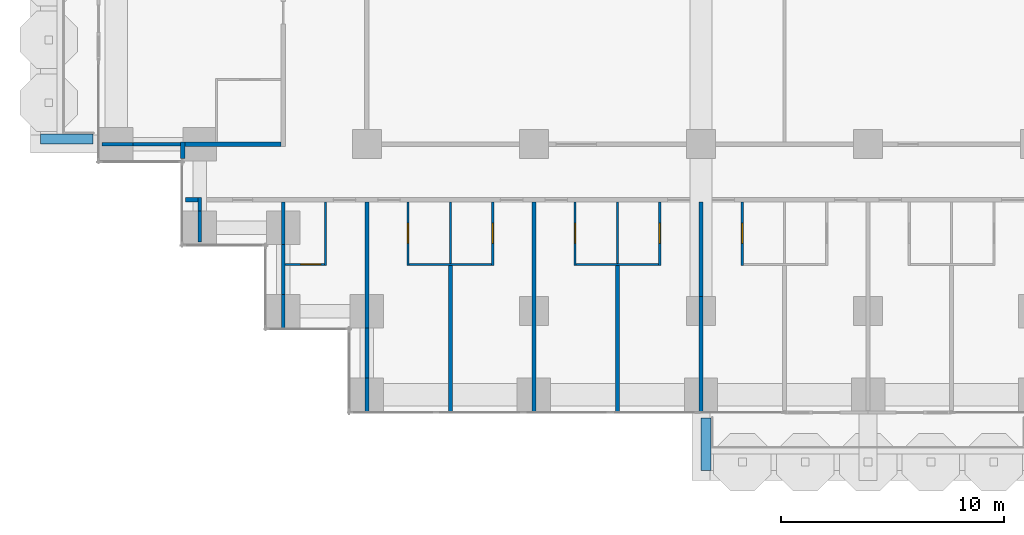
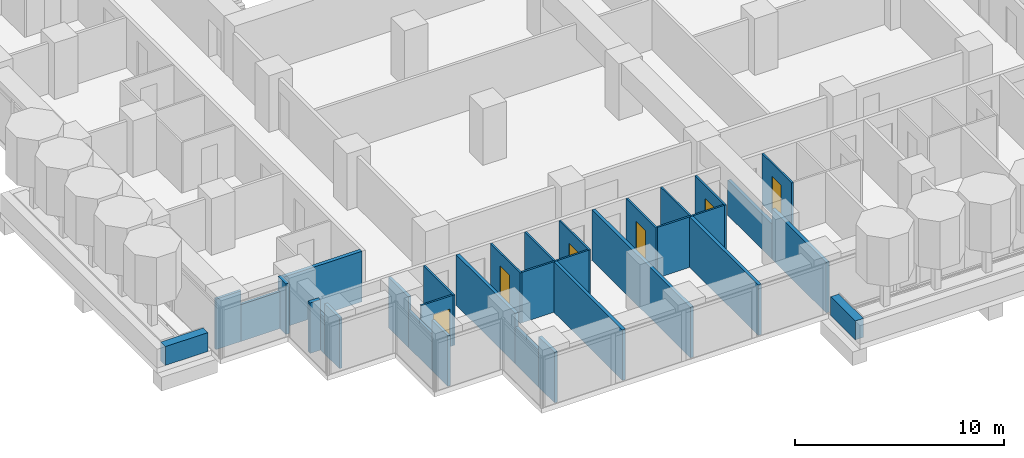
# One storey, part 11 of 20: 31 walls, 6 doors, 6 openings.
"""IFC4 building model written with IfcOpenShell, lengths in metres."""

from ifc_helpers import new_model, si_unit, direction, frame, frame_2d, origin, place, context, subcontext, project, spatial, rectangle, extrude, material, layer, layer_set, type_object, element, fill, save


model = new_model("IFC4")

# Units and contexts
model_context = context("Model", 3, precision=1e-05, world=origin(), true_north=direction((0.0, 1.0)))
body_context = subcontext(model_context, "Body", "Model", "MODEL_VIEW")
ifc_project = project(units=[si_unit("LENGTHUNIT", "METRE"), si_unit("AREAUNIT", "SQUARE_METRE"), si_unit("VOLUMEUNIT", "CUBIC_METRE"), si_unit("PLANEANGLEUNIT", "RADIAN"), si_unit("MASSUNIT", "GRAM", prefix="KILO")], contexts=[model_context])

# Site, building, storey
site_placement = place(None, origin())
site = spatial("IfcSite", under=ifc_project, at=site_placement, CompositionType="ELEMENT")
building_placement = place(site_placement, origin())
building = spatial("IfcBuilding", under=site, at=building_placement, Name="Pilkhan Gate Tower", CompositionType="ELEMENT")
storey_placement = place(building_placement, frame((0.0, 0.0, 98.89990234375)))
storey = spatial("IfcBuildingStorey", under=building, at=storey_placement, Name="L24", CompositionType="ELEMENT", Elevation=98.89990234375)

# Walls
ifc_material_1 = material(Name="Dense blockwork", Category="masonry")
ifc_layer_1 = layer(ifc_material_1, 0.175048828125)
ifc_layer_set_1 = layer_set([ifc_layer_1], Name="Acoustic party wall PW175")
wall_type_1 = type_object("IfcWallType", Name="Acoustic party wall PW175", PredefinedType="PARTITIONING", material=ifc_layer_set_1)
wall_1_placement = place(storey_placement, frame((60.0, 40.485107421875, 0.0), z_axis=(0.0, 0.0, 1.0), x_axis=(0.0, 1.0, 0.0)))
element("IfcWall", 1, at=wall_1_placement, inside=storey, type_object=wall_type_1, Name="Partition L24", PredefinedType="PARTITIONING", context=body_context, shape_type="SweptSolid", body=[
    extrude(rectangle(XDim=1.514892578125, YDim=0.175048828125, at=frame_2d((0.75732421875, 0.0))), origin(), (0.0, 0.0, 1.0), 2.9501953125),
])
wall_2_placement = place(storey_placement, frame((60.0, 42.0, 0.0), z_axis=(0.0, 0.0, 1.0), x_axis=(0.0, 1.0, 0.0)))
element("IfcWall", 2, at=wall_2_placement, inside=storey, type_object=wall_type_1, Name="Partition L24", PredefinedType="PARTITIONING", context=body_context, shape_type="SweptSolid", body=[
    extrude(rectangle(XDim=2.2509765625, YDim=0.175048828125, at=frame_2d((1.12548828125, 0.0))), origin(), (0.0, 0.0, 1.0), 2.150146484375),
])
wall_3_placement = place(storey_placement, frame((60.0, 44.2509765625, 0.0), z_axis=(0.0, 0.0, 1.0), x_axis=(0.0, 1.0, 0.0)))
element("IfcWall", 3, at=wall_3_placement, inside=storey, type_object=wall_type_1, Name="Partition L24", PredefinedType="PARTITIONING", context=body_context, shape_type="SweptSolid", body=[
    extrude(rectangle(XDim=5.64892578125, YDim=0.175048828125, at=frame_2d((2.824462890625, 0.0))), origin(), (0.0, 0.0, 1.0), 2.9501953125),
])
wall_4_placement = place(storey_placement, frame((63.75, 40.485107421875, 0.0), z_axis=(0.0, 0.0, 1.0), x_axis=(0.0, 1.0, 0.0)))
element("IfcWall", 4, at=wall_4_placement, inside=storey, type_object=wall_type_1, Name="Partition L24", PredefinedType="PARTITIONING", context=body_context, shape_type="SweptSolid", body=[
    extrude(rectangle(XDim=6.56494140625, YDim=0.175048828125, at=frame_2d((3.282470703125, 0.0))), origin(), (0.0, 0.0, 1.0), 2.9501953125),
])
wall_5_placement = place(storey_placement, frame((67.5, 40.485107421875, 0.0), z_axis=(0.0, 0.0, 1.0), x_axis=(0.0, 1.0, 0.0)))
element("IfcWall", 5, at=wall_5_placement, inside=storey, type_object=wall_type_1, Name="Partition L24", PredefinedType="PARTITIONING", context=body_context, shape_type="SweptSolid", body=[
    extrude(rectangle(XDim=9.414794921875, YDim=0.175048828125, at=frame_2d((4.70751953125, 0.0))), origin(), (0.0, 0.0, 1.0), 2.9501953125),
])
wall_6_placement = place(storey_placement, frame((71.25, 40.485107421875, 0.0), z_axis=(0.0, 0.0, 1.0), x_axis=(0.0, 1.0, 0.0)))
element("IfcWall", 6, at=wall_6_placement, inside=storey, type_object=wall_type_1, Name="Partition L24", PredefinedType="PARTITIONING", context=body_context, shape_type="SweptSolid", body=[
    extrude(rectangle(XDim=6.56494140625, YDim=0.175048828125, at=frame_2d((3.282470703125, 0.0))), origin(), (0.0, 0.0, 1.0), 2.9501953125),
])
wall_7_placement = place(storey_placement, frame((75.0, 40.485107421875, 0.0), z_axis=(0.0, 0.0, 1.0), x_axis=(0.0, 1.0, 0.0)))
element("IfcWall", 7, at=wall_7_placement, inside=storey, type_object=wall_type_1, Name="Partition L24", PredefinedType="PARTITIONING", context=body_context, shape_type="SweptSolid", body=[
    extrude(rectangle(XDim=5.163818359375, YDim=0.175048828125, at=frame_2d((2.58203125, 0.0))), origin(), (0.0, 0.0, 1.0), 2.9501953125),
])
wall_8_placement = place(storey_placement, frame((75.0, 45.64892578125, 0.0), z_axis=(0.0, 0.0, 1.0), x_axis=(0.0, 1.0, 0.0)))
element("IfcWall", 8, at=wall_8_placement, inside=storey, type_object=wall_type_1, Name="Partition L24", PredefinedType="PARTITIONING", context=body_context, shape_type="SweptSolid", body=[
    extrude(rectangle(XDim=4.2509765625, YDim=0.175048828125, at=frame_2d((2.12548828125, 0.0))), origin(), (0.0, 0.0, 1.0), 2.050048828125),
])
ifc_material_2 = material(Name="Board-marked Concrete C40/50", Category="concrete")
ifc_layer_2 = layer(ifc_material_2, 0.449951171875)
ifc_layer_set_2 = layer_set([ifc_layer_2], Name="Balcony planter lip BL450")
wall_type_2 = type_object("IfcWallType", Name="Balcony planter lip BL450", PredefinedType="USERDEFINED", material=ifc_layer_set_2)
for number, where, z_axis, x_axis, name in (
    (9, (75.22509765625, 40.199951171875, 0.0), (0.0, 0.0, 1.0), (0.0, -1.0, 0.0), "Balcony planter L24 S"),
    (10, (47.699951171875, 52.72509765625, 0.0), (0.0, 0.0, 1.0), (-1.0, 0.0, 0.0), "Balcony planter L24 W"),
):
    element("IfcWall", number, at=place(storey_placement, frame(where, z_axis=z_axis, x_axis=x_axis)), inside=storey, type_object=wall_type_2, Name=name, ObjectType="BALCONY PLANTER", PredefinedType="USERDEFINED", context=body_context, shape_type="SweptSolid", body=[
        extrude(rectangle(XDim=2.349853515625, YDim=0.449951171875, at=frame_2d((1.1748046875, 0.0))), origin(), (0.0, 0.0, 1.0), 1.10009765625),
    ])
ifc_layer_3 = layer(ifc_material_1, 0.199951171875)
ifc_layer_set_3 = layer_set([ifc_layer_3], Name="Corridor wall FW200")
wall_type_3 = type_object("IfcWallType", Name="Corridor wall FW200", PredefinedType="PARTITIONING", material=ifc_layer_set_3)
wall_9_placement = place(storey_placement, frame((51.85498046875, 50.0, 0.0), z_axis=(0.0, 0.0, 1.0), x_axis=(1.0, 0.0, 0.0)))
element("IfcWall", 11, at=wall_9_placement, inside=storey, type_object=wall_type_3, Name="Partition L24", PredefinedType="PARTITIONING", context=body_context, shape_type="SweptSolid", body=[
    extrude(rectangle(XDim=0.570068359375, YDim=0.199951171875, at=frame_2d((0.28515625, 0.0))), origin(), (0.0, 0.0, 1.0), 2.9501953125),
])
wall_10_placement = place(storey_placement, frame((51.8349609375, 52.5, 0.0), z_axis=(0.0, 0.0, 1.0), x_axis=(1.0, 0.0, 0.0)))
element("IfcWall", 12, at=wall_10_placement, inside=storey, type_object=wall_type_3, Name="Partition L24", PredefinedType="PARTITIONING", context=body_context, shape_type="SweptSolid", body=[
    extrude(rectangle(XDim=4.31494140625, YDim=0.199951171875, at=frame_2d((2.157470703125, 0.0))), origin(), (0.0, 0.0, 1.0), 2.9501953125),
])
wall_11_placement = place(storey_placement, frame((51.735107421875, 51.85498046875, 0.0), z_axis=(0.0, 0.0, 1.0), x_axis=(0.0, 1.0, 0.0)))
element("IfcWall", 13, at=wall_11_placement, inside=storey, type_object=wall_type_3, Name="Partition L24", PredefinedType="PARTITIONING", context=body_context, shape_type="SweptSolid", body=[
    extrude(rectangle(XDim=0.7451171875, YDim=0.199951171875, at=frame_2d((0.37255859375, 0.0))), origin(), (0.0, 0.0, 1.0), 2.9501953125),
])
ifc_material_3 = material(Name="Blockwork partition, plastered both sides", Category="masonry")
ifc_layer_4 = layer(ifc_material_3, 0.14990234375)
ifc_layer_set_4 = layer_set([ifc_layer_4], Name="Partition PW150")
wall_type_4 = type_object("IfcWallType", Name="Partition PW150", PredefinedType="PARTITIONING", material=ifc_layer_set_4)
wall_12_placement = place(storey_placement, frame((48.10498046875, 52.5, 0.0), z_axis=(0.0, 0.0, 1.0), x_axis=(1.0, 0.0, 0.0)))
element("IfcWall", 14, at=wall_12_placement, inside=storey, type_object=wall_type_4, Name="Partition L24", PredefinedType="PARTITIONING", context=body_context, shape_type="SweptSolid", body=[
    extrude(rectangle(XDim=1.39501953125, YDim=0.14990234375, at=frame_2d((0.697509765625, 0.0))), origin(), (0.0, 0.0, 1.0), 2.9501953125),
])
wall_13_placement = place(storey_placement, frame((49.5, 52.5, 0.0), z_axis=(0.0, 0.0, 1.0), x_axis=(1.0, 0.0, 0.0)))
element("IfcWall", 15, at=wall_13_placement, inside=storey, type_object=wall_type_4, Name="Partition L24", PredefinedType="PARTITIONING", context=body_context, shape_type="SweptSolid", body=[
    extrude(rectangle(XDim=2.135009765625, YDim=0.14990234375, at=frame_2d((1.0673828125, 0.0))), origin(), (0.0, 0.0, 1.0), 2.150146484375),
])
wall_14_placement = place(storey_placement, frame((52.5, 48.10498046875, 0.0), z_axis=(0.0, 0.0, 1.0), x_axis=(0.0, 1.0, 0.0)))
element("IfcWall", 16, at=wall_14_placement, inside=storey, type_object=wall_type_4, Name="Partition L24", PredefinedType="PARTITIONING", context=body_context, shape_type="SweptSolid", body=[
    extrude(rectangle(XDim=1.39501953125, YDim=0.14990234375, at=frame_2d((0.697509765625, 0.0))), origin(), (0.0, 0.0, 1.0), 2.9501953125),
])
wall_15_placement = place(storey_placement, frame((52.5, 49.5, 0.0), z_axis=(0.0, 0.0, 1.0), x_axis=(0.0, 1.0, 0.0)))
element("IfcWall", 17, at=wall_15_placement, inside=storey, type_object=wall_type_4, Name="Partition L24", PredefinedType="PARTITIONING", context=body_context, shape_type="SweptSolid", body=[
    extrude(rectangle(XDim=0.60009765625, YDim=0.14990234375, at=frame_2d((0.300048828125, 0.0))), origin(), (0.0, 0.0, 1.0), 2.150146484375),
])
wall_16_placement = place(storey_placement, frame((56.25, 44.235107421875, 0.0), z_axis=(0.0, 0.0, 1.0), x_axis=(0.0, 1.0, 0.0)))
element("IfcWall", 18, at=wall_16_placement, inside=storey, type_object=wall_type_4, Name="Partition L24", PredefinedType="PARTITIONING", context=body_context, shape_type="SweptSolid", body=[
    extrude(rectangle(XDim=1.514892578125, YDim=0.14990234375, at=frame_2d((0.75732421875, 0.0))), origin(), (0.0, 0.0, 1.0), 2.9501953125),
])
wall_17_placement = place(storey_placement, frame((56.25, 45.75, 0.0), z_axis=(0.0, 0.0, 1.0), x_axis=(0.0, 1.0, 0.0)))
element("IfcWall", 19, at=wall_17_placement, inside=storey, type_object=wall_type_4, Name="Partition L24", PredefinedType="PARTITIONING", context=body_context, shape_type="SweptSolid", body=[
    extrude(rectangle(XDim=2.2509765625, YDim=0.14990234375, at=frame_2d((1.12548828125, 0.0))), origin(), (0.0, 0.0, 1.0), 2.150146484375),
])
wall_18_placement = place(storey_placement, frame((56.25, 48.0009765625, 0.0), z_axis=(0.0, 0.0, 1.0), x_axis=(0.0, 1.0, 0.0)))
element("IfcWall", 20, at=wall_18_placement, inside=storey, type_object=wall_type_4, Name="Partition L24", PredefinedType="PARTITIONING", context=body_context, shape_type="SweptSolid", body=[
    extrude(rectangle(XDim=1.89892578125, YDim=0.14990234375, at=frame_2d((0.949462890625, 0.0))), origin(), (0.0, 0.0, 1.0), 2.9501953125),
])

# Wall, opening, door
ifc_material_4 = material(Name="Moisture resistant board, tiled")
ifc_layer_5 = layer(ifc_material_4, 0.10009765625)
ifc_layer_set_5 = layer_set([ifc_layer_5], Name="Wet wall PW100")
wall_type_5 = type_object("IfcWallType", Name="Wet wall PW100", PredefinedType="PARTITIONING", material=ifc_layer_set_5)
wall_19_placement = place(storey_placement, frame((56.324951171875, 47.10009765625, 0.0), z_axis=(0.0, 0.0, 1.0), x_axis=(1.0, 0.0, 0.0)))
wall_19 = element("IfcWall", 21, at=wall_19_placement, inside=storey, type_object=wall_type_5, Name="Partition L24", PredefinedType="PARTITIONING", context=body_context, shape_type="SweptSolid", body=[
    extrude(rectangle(XDim=1.775146484375, YDim=0.10009765625, at=frame_2d((0.8876953125, 0.0))), origin(), (0.0, 0.0, 1.0), 2.9501953125),
])
opening_1_placement = place(wall_19_placement, frame((0.699951171875, 0.0, 0.0)))
opening_1 = element("IfcOpeningElement", 22, at=opening_1_placement, cuts=wall_19, Name="Opening L24-07", PredefinedType="OPENING", context=body_context, shape_type="SweptSolid", body=[
    extrude(rectangle(XDim=0.89990234375, YDim=2.199951171875, at=frame_2d((0.449951171875, 1.10009765625))), frame((0.0, 0.06005859375, 0.0), z_axis=(0.0, -1.0, 0.0), x_axis=(1.0, 0.0, 0.0)), (0.0, 0.0, 1.0), 0.1201171875),
])
ifc_material_5 = material(Name="Timber flush door", Category="wood")
door_type = type_object("IfcDoorType", Name="Bathroom door D02 900x2200", OperationType="SINGLE_SWING_RIGHT", PredefinedType="DOOR", material=ifc_material_5)
door_1_placement = place(opening_1_placement, origin())
door_1 = element("IfcDoor", 23, at=door_1_placement, inside=storey, type_object=door_type, Name="Bathroom door", OperationType="SINGLE_SWING_RIGHT", OverallHeight=2.199951171875, OverallWidth=0.89990234375, PredefinedType="DOOR", context=body_context, shape_type="SweptSolid", body=[
    extrude(rectangle(XDim=0.89990234375, YDim=2.199951171875, at=frame_2d((0.449951171875, 1.10009765625))), frame((0.0, 0.02490234375, 0.0), z_axis=(0.0, -1.0, 0.0), x_axis=(1.0, 0.0, 0.0)), (0.0, 0.0, 1.0), 0.050048828125),
])
fill(opening_1, door_1)

# Walls
for number, where, z_axis, x_axis, name in (
    (24, (61.89990234375, 47.10009765625, 0.0), (0.0, 0.0, 1.0), (1.0, 0.0, 0.0), "Partition L24"),
    (25, (69.39990234375, 47.10009765625, 0.0), (0.0, 0.0, 1.0), (1.0, 0.0, 0.0), "Partition L24"),
):
    element("IfcWall", number, at=place(storey_placement, frame(where, z_axis=z_axis, x_axis=x_axis)), inside=storey, type_object=wall_type_5, Name=name, PredefinedType="PARTITIONING", context=body_context, shape_type="SweptSolid", body=[
        extrude(rectangle(XDim=3.7001953125, YDim=0.10009765625, at=frame_2d((1.85009765625, 0.0))), origin(), (0.0, 0.0, 1.0), 2.9501953125),
    ])
wall_20_placement = place(storey_placement, frame((58.14990234375, 47.050048828125, 0.0), z_axis=(0.0, 0.0, 1.0), x_axis=(0.0, 1.0, 0.0)))
element("IfcWall", 26, at=wall_20_placement, inside=storey, type_object=wall_type_5, Name="Partition L24", PredefinedType="PARTITIONING", context=body_context, shape_type="SweptSolid", body=[
    extrude(rectangle(XDim=2.849853515625, YDim=0.10009765625, at=frame_2d((1.4248046875, 0.0))), origin(), (0.0, 0.0, 1.0), 2.9501953125),
])

# Wall, opening, door
wall_21_placement = place(storey_placement, frame((61.85009765625, 47.050048828125, 0.0), z_axis=(0.0, 0.0, 1.0), x_axis=(0.0, 1.0, 0.0)))
wall_21 = element("IfcWall", 27, at=wall_21_placement, inside=storey, type_object=wall_type_5, Name="Partition L24", PredefinedType="PARTITIONING", context=body_context, shape_type="SweptSolid", body=[
    extrude(rectangle(XDim=2.849853515625, YDim=0.10009765625, at=frame_2d((1.4248046875, 0.0))), origin(), (0.0, 0.0, 1.0), 2.9501953125),
])
opening_2_placement = place(wall_21_placement, frame((1.0, 0.0, 0.0)))
opening_2 = element("IfcOpeningElement", 28, at=opening_2_placement, cuts=wall_21, Name="Opening L24-09", PredefinedType="OPENING", context=body_context, shape_type="SweptSolid", body=[
    extrude(rectangle(XDim=0.89990234375, YDim=2.199951171875, at=frame_2d((0.449951171875, 1.10009765625))), frame((0.0, 0.06005859375, 0.0), z_axis=(0.0, -1.0, 0.0), x_axis=(1.0, 0.0, 0.0)), (0.0, 0.0, 1.0), 0.1201171875),
])
door_2_placement = place(opening_2_placement, origin())
door_2 = element("IfcDoor", 29, at=door_2_placement, inside=storey, type_object=door_type, Name="Bathroom door", OperationType="SINGLE_SWING_RIGHT", OverallHeight=2.199951171875, OverallWidth=0.89990234375, PredefinedType="DOOR", context=body_context, shape_type="SweptSolid", body=[
    extrude(rectangle(XDim=0.89990234375, YDim=2.199951171875, at=frame_2d((0.449951171875, 1.10009765625))), frame((0.0, 0.02490234375, 0.0), z_axis=(0.0, -1.0, 0.0), x_axis=(1.0, 0.0, 0.0)), (0.0, 0.0, 1.0), 0.050048828125),
])
fill(opening_2, door_2)

# Wall
wall_22_placement = place(storey_placement, frame((63.75, 47.14990234375, 0.0), z_axis=(0.0, 0.0, 1.0), x_axis=(0.0, 1.0, 0.0)))
element("IfcWall", 30, at=wall_22_placement, inside=storey, type_object=wall_type_5, Name="Partition L24", PredefinedType="PARTITIONING", context=body_context, shape_type="SweptSolid", body=[
    extrude(rectangle(XDim=2.75, YDim=0.10009765625, at=frame_2d((1.375, 0.0))), origin(), (0.0, 0.0, 1.0), 2.9501953125),
])

# Wall, opening, door
wall_23_placement = place(storey_placement, frame((65.64990234375, 47.050048828125, 0.0), z_axis=(0.0, 0.0, 1.0), x_axis=(0.0, 1.0, 0.0)))
wall_23 = element("IfcWall", 31, at=wall_23_placement, inside=storey, type_object=wall_type_5, Name="Partition L24", PredefinedType="PARTITIONING", context=body_context, shape_type="SweptSolid", body=[
    extrude(rectangle(XDim=2.849853515625, YDim=0.10009765625, at=frame_2d((1.4248046875, 0.0))), origin(), (0.0, 0.0, 1.0), 2.9501953125),
])
opening_3_placement = place(wall_23_placement, frame((1.0, 0.0, 0.0)))
opening_3 = element("IfcOpeningElement", 32, at=opening_3_placement, cuts=wall_23, Name="Opening L24-11", PredefinedType="OPENING", context=body_context, shape_type="SweptSolid", body=[
    extrude(rectangle(XDim=0.89990234375, YDim=2.199951171875, at=frame_2d((0.449951171875, 1.10009765625))), frame((0.0, 0.06005859375, 0.0), z_axis=(0.0, -1.0, 0.0), x_axis=(1.0, 0.0, 0.0)), (0.0, 0.0, 1.0), 0.1201171875),
])
door_3_placement = place(opening_3_placement, origin())
door_3 = element("IfcDoor", 33, at=door_3_placement, inside=storey, type_object=door_type, Name="Bathroom door", OperationType="SINGLE_SWING_RIGHT", OverallHeight=2.199951171875, OverallWidth=0.89990234375, PredefinedType="DOOR", context=body_context, shape_type="SweptSolid", body=[
    extrude(rectangle(XDim=0.89990234375, YDim=2.199951171875, at=frame_2d((0.449951171875, 1.10009765625))), frame((0.0, 0.02490234375, 0.0), z_axis=(0.0, -1.0, 0.0), x_axis=(1.0, 0.0, 0.0)), (0.0, 0.0, 1.0), 0.050048828125),
])
fill(opening_3, door_3)

wall_24_placement = place(storey_placement, frame((69.35009765625, 47.050048828125, 0.0), z_axis=(0.0, 0.0, 1.0), x_axis=(0.0, 1.0, 0.0)))
wall_24 = element("IfcWall", 34, at=wall_24_placement, inside=storey, type_object=wall_type_5, Name="Partition L24", PredefinedType="PARTITIONING", context=body_context, shape_type="SweptSolid", body=[
    extrude(rectangle(XDim=2.849853515625, YDim=0.10009765625, at=frame_2d((1.4248046875, 0.0))), origin(), (0.0, 0.0, 1.0), 2.9501953125),
])
opening_4_placement = place(wall_24_placement, frame((1.0, 0.0, 0.0)))
opening_4 = element("IfcOpeningElement", 35, at=opening_4_placement, cuts=wall_24, Name="Opening L24-13", PredefinedType="OPENING", context=body_context, shape_type="SweptSolid", body=[
    extrude(rectangle(XDim=0.89990234375, YDim=2.199951171875, at=frame_2d((0.449951171875, 1.10009765625))), frame((0.0, 0.06005859375, 0.0), z_axis=(0.0, -1.0, 0.0), x_axis=(1.0, 0.0, 0.0)), (0.0, 0.0, 1.0), 0.1201171875),
])
door_4_placement = place(opening_4_placement, origin())
door_4 = element("IfcDoor", 36, at=door_4_placement, inside=storey, type_object=door_type, Name="Bathroom door", OperationType="SINGLE_SWING_RIGHT", OverallHeight=2.199951171875, OverallWidth=0.89990234375, PredefinedType="DOOR", context=body_context, shape_type="SweptSolid", body=[
    extrude(rectangle(XDim=0.89990234375, YDim=2.199951171875, at=frame_2d((0.449951171875, 1.10009765625))), frame((0.0, 0.02490234375, 0.0), z_axis=(0.0, -1.0, 0.0), x_axis=(1.0, 0.0, 0.0)), (0.0, 0.0, 1.0), 0.050048828125),
])
fill(opening_4, door_4)

# Wall
wall_25_placement = place(storey_placement, frame((71.25, 47.14990234375, 0.0), z_axis=(0.0, 0.0, 1.0), x_axis=(0.0, 1.0, 0.0)))
element("IfcWall", 37, at=wall_25_placement, inside=storey, type_object=wall_type_5, Name="Partition L24", PredefinedType="PARTITIONING", context=body_context, shape_type="SweptSolid", body=[
    extrude(rectangle(XDim=2.75, YDim=0.10009765625, at=frame_2d((1.375, 0.0))), origin(), (0.0, 0.0, 1.0), 2.9501953125),
])

# Wall, opening, door
wall_26_placement = place(storey_placement, frame((73.14990234375, 47.050048828125, 0.0), z_axis=(0.0, 0.0, 1.0), x_axis=(0.0, 1.0, 0.0)))
wall_26 = element("IfcWall", 38, at=wall_26_placement, inside=storey, type_object=wall_type_5, Name="Partition L24", PredefinedType="PARTITIONING", context=body_context, shape_type="SweptSolid", body=[
    extrude(rectangle(XDim=2.849853515625, YDim=0.10009765625, at=frame_2d((1.4248046875, 0.0))), origin(), (0.0, 0.0, 1.0), 2.9501953125),
])
opening_5_placement = place(wall_26_placement, frame((1.0, 0.0, 0.0)))
opening_5 = element("IfcOpeningElement", 39, at=opening_5_placement, cuts=wall_26, Name="Opening L24-15", PredefinedType="OPENING", context=body_context, shape_type="SweptSolid", body=[
    extrude(rectangle(XDim=0.89990234375, YDim=2.199951171875, at=frame_2d((0.449951171875, 1.10009765625))), frame((0.0, 0.06005859375, 0.0), z_axis=(0.0, -1.0, 0.0), x_axis=(1.0, 0.0, 0.0)), (0.0, 0.0, 1.0), 0.1201171875),
])
door_5_placement = place(opening_5_placement, origin())
door_5 = element("IfcDoor", 40, at=door_5_placement, inside=storey, type_object=door_type, Name="Bathroom door", OperationType="SINGLE_SWING_RIGHT", OverallHeight=2.199951171875, OverallWidth=0.89990234375, PredefinedType="DOOR", context=body_context, shape_type="SweptSolid", body=[
    extrude(rectangle(XDim=0.89990234375, YDim=2.199951171875, at=frame_2d((0.449951171875, 1.10009765625))), frame((0.0, 0.02490234375, 0.0), z_axis=(0.0, -1.0, 0.0), x_axis=(1.0, 0.0, 0.0)), (0.0, 0.0, 1.0), 0.050048828125),
])
fill(opening_5, door_5)

wall_27_placement = place(storey_placement, frame((76.85009765625, 47.050048828125, 0.0), z_axis=(0.0, 0.0, 1.0), x_axis=(0.0, 1.0, 0.0)))
wall_27 = element("IfcWall", 41, at=wall_27_placement, inside=storey, type_object=wall_type_5, Name="Partition L24", PredefinedType="PARTITIONING", context=body_context, shape_type="SweptSolid", body=[
    extrude(rectangle(XDim=2.849853515625, YDim=0.10009765625, at=frame_2d((1.4248046875, 0.0))), origin(), (0.0, 0.0, 1.0), 2.9501953125),
])
opening_6_placement = place(wall_27_placement, frame((1.0, 0.0, 0.0)))
opening_6 = element("IfcOpeningElement", 42, at=opening_6_placement, cuts=wall_27, Name="Opening L24-17", PredefinedType="OPENING", context=body_context, shape_type="SweptSolid", body=[
    extrude(rectangle(XDim=0.89990234375, YDim=2.199951171875, at=frame_2d((0.449951171875, 1.10009765625))), frame((0.0, 0.06005859375, 0.0), z_axis=(0.0, -1.0, 0.0), x_axis=(1.0, 0.0, 0.0)), (0.0, 0.0, 1.0), 0.1201171875),
])
door_6_placement = place(opening_6_placement, origin())
door_6 = element("IfcDoor", 43, at=door_6_placement, inside=storey, type_object=door_type, Name="Bathroom door", OperationType="SINGLE_SWING_RIGHT", OverallHeight=2.199951171875, OverallWidth=0.89990234375, PredefinedType="DOOR", context=body_context, shape_type="SweptSolid", body=[
    extrude(rectangle(XDim=0.89990234375, YDim=2.199951171875, at=frame_2d((0.449951171875, 1.10009765625))), frame((0.0, 0.02490234375, 0.0), z_axis=(0.0, -1.0, 0.0), x_axis=(1.0, 0.0, 0.0)), (0.0, 0.0, 1.0), 0.050048828125),
])
fill(opening_6, door_6)

save(model, "model.ifc")
